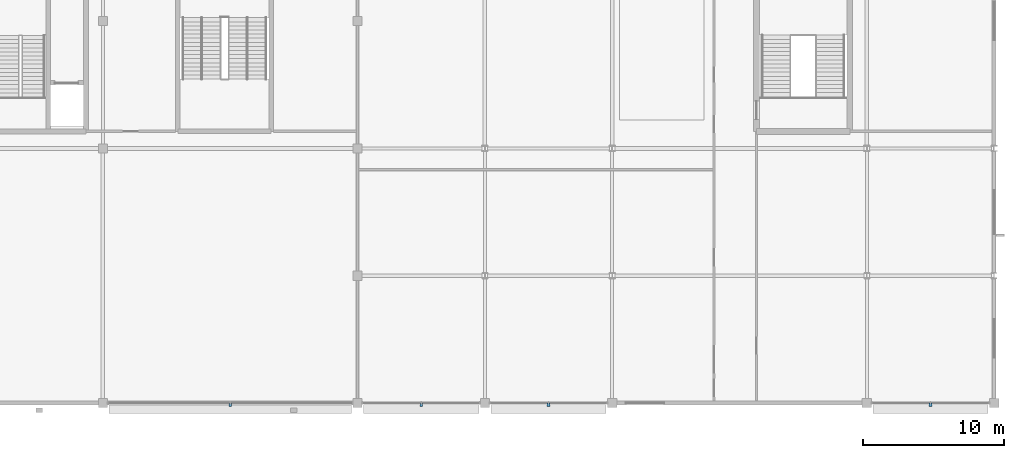
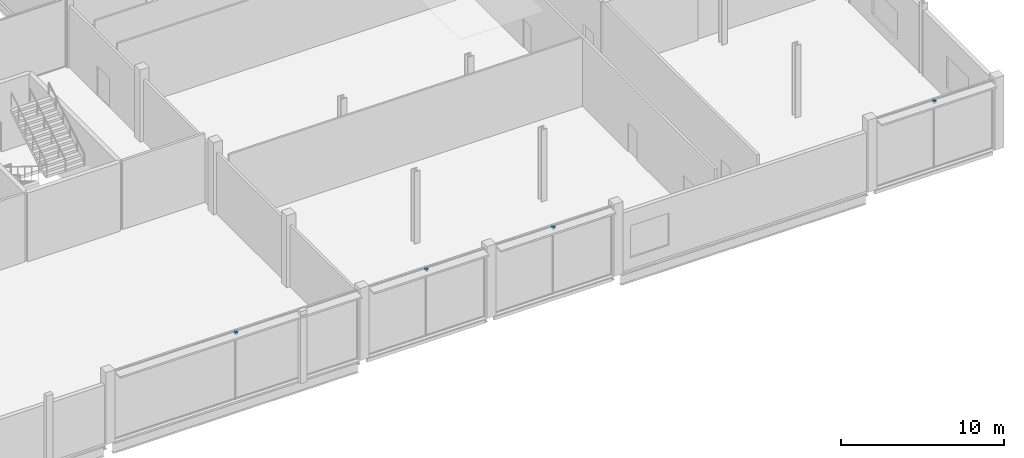
# One storey, part 79 of 111: 4 discrete accessories.
"""IFC4 building model written with IfcOpenShell, lengths in metres."""

from ifc_helpers import new_model, si_unit, direction, frame, origin, origin_2d, place, context, subcontext, project, spatial, rectangle, extrude, material, type_object, element, save


model = new_model("IFC4")

# Units and contexts
model_context = context("Model", 3, precision=1e-05, world=origin(), true_north=direction((0.0, 1.0)))
body_context = subcontext(model_context, "Body", "Model", "MODEL_VIEW")
ifc_project = project(units=[si_unit("LENGTHUNIT", "METRE"), si_unit("AREAUNIT", "SQUARE_METRE"), si_unit("VOLUMEUNIT", "CUBIC_METRE"), si_unit("PLANEANGLEUNIT", "RADIAN"), si_unit("MASSUNIT", "GRAM", prefix="KILO")], contexts=[model_context])

# Site, building, storey
site_placement = place(None, origin())
site = spatial("IfcSite", under=ifc_project, at=site_placement, CompositionType="ELEMENT")
building_placement = place(site_placement, origin())
building = spatial("IfcBuilding", under=site, at=building_placement, Name="Kisiwana Market Hall", CompositionType="ELEMENT")
storey_placement = place(building_placement, frame((0.0, 0.0, 11.39990234375)))
storey = spatial("IfcBuildingStorey", under=building, at=storey_placement, Name="L02", CompositionType="ELEMENT", Elevation=11.39990234375)

# Discrete accessories
ifc_material = material(Name="Steel S355", Category="steel")
discrete_accessory_type = type_object("IfcDiscreteAccessoryType", Name="ACC-BRACKET-STL", PredefinedType="BRACKET", material=ifc_material)
for number, where, z_axis, x_axis, name in (
    (1, (144.0, -0.110107421875, 4.93994140625), (0.0, 0.0, 1.0), (1.0, 0.0, 0.0), "Sunshade steel bracket BRK-039"),
    (2, (157.5, -0.110107421875, 4.93994140625), (0.0, 0.0, 1.0), (1.0, 0.0, 0.0), "Sunshade steel bracket BRK-040"),
    (3, (166.5, -0.110107421875, 4.93994140625), (0.0, 0.0, 1.0), (1.0, 0.0, 0.0), "Sunshade steel bracket BRK-041"),
    (4, (193.5, -0.110107421875, 4.93994140625), (0.0, 0.0, 1.0), (1.0, 0.0, 0.0), "Sunshade steel bracket BRK-042"),
):
    element("IfcDiscreteAccessory", number, at=place(storey_placement, frame(where, z_axis=z_axis, x_axis=x_axis)), inside=storey, type_object=discrete_accessory_type, Name=name, PredefinedType="BRACKET", context=body_context, shape_type="SweptSolid", body=[
        extrude(rectangle(XDim=0.179931640625, YDim=0.239990234375, at=origin_2d()), origin(), (0.0, 0.0, 1.0), 0.179931640625),
    ])

save(model, "model.ifc")
